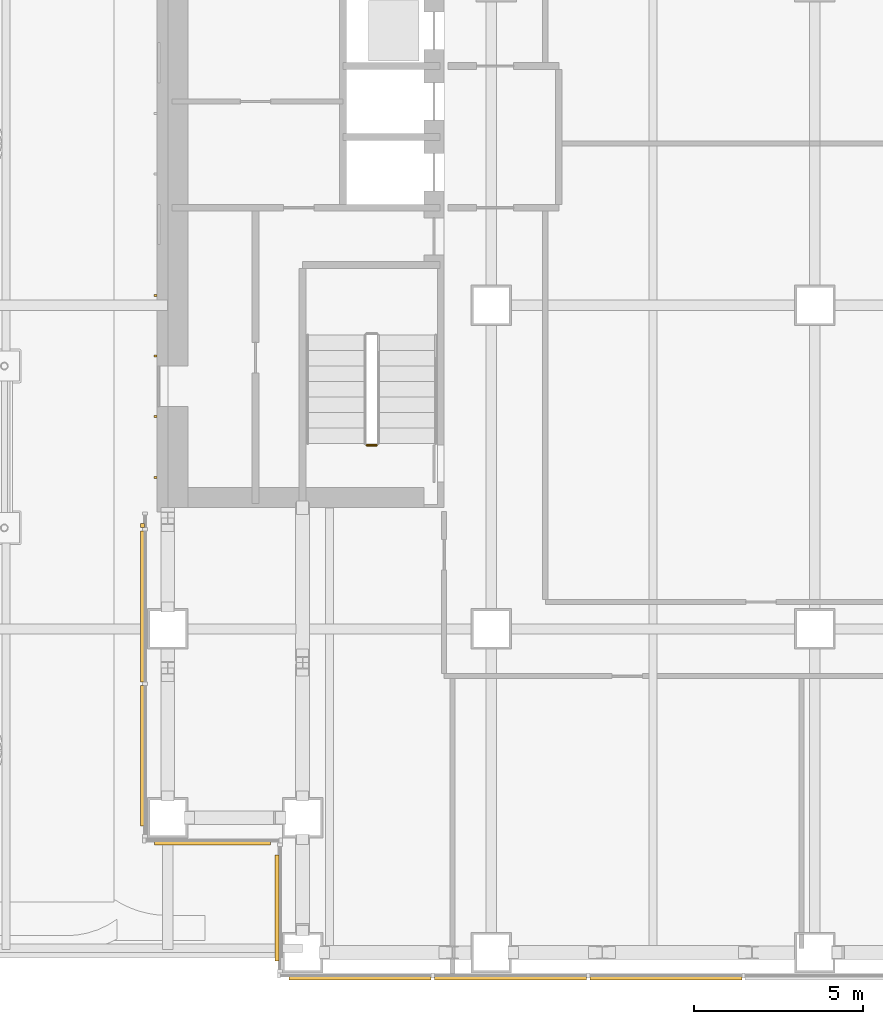
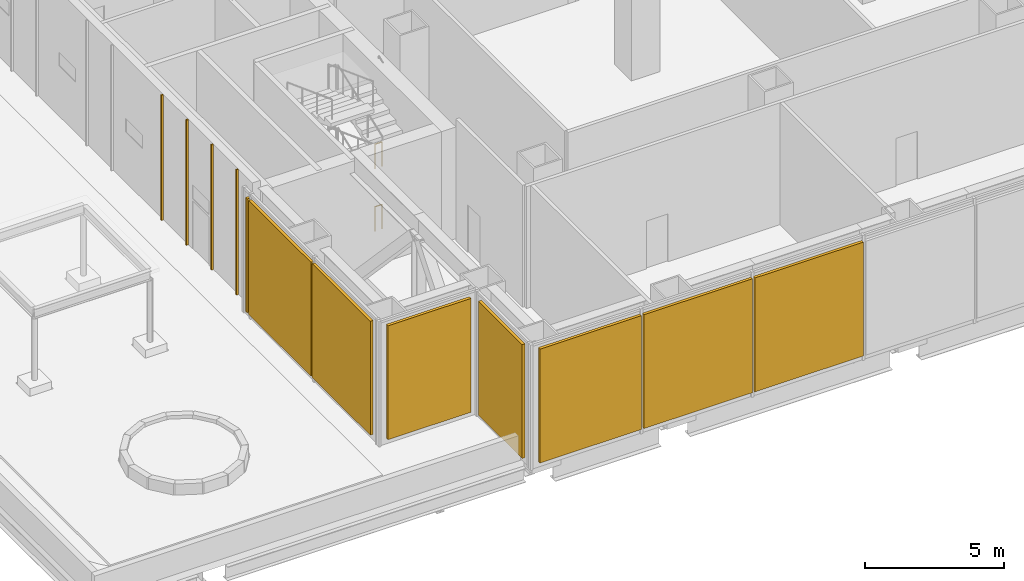
# One storey, part 28 of 39: 12 coverings, 2 railings.
"""IFC4 building model written with IfcOpenShell, lengths in metres."""

from ifc_helpers import new_model, si_unit, direction, frame, origin, origin_2d, place, context, subcontext, project, spatial, rectangle, circle, extrude, material, type_object, element, save


model = new_model("IFC4")

# Units and contexts
model_context = context("Model", 3, precision=1e-05, world=origin(), true_north=direction((0.0, 1.0)))
body_context = subcontext(model_context, "Body", "Model", "MODEL_VIEW")
ifc_project = project(units=[si_unit("LENGTHUNIT", "METRE"), si_unit("AREAUNIT", "SQUARE_METRE"), si_unit("VOLUMEUNIT", "CUBIC_METRE"), si_unit("PLANEANGLEUNIT", "RADIAN"), si_unit("MASSUNIT", "GRAM", prefix="KILO")], contexts=[model_context])

# Site, building, storey
site_placement = place(None, origin())
site = spatial("IfcSite", under=ifc_project, at=site_placement, CompositionType="ELEMENT")
building_placement = place(site_placement, origin())
building = spatial("IfcBuilding", under=site, at=building_placement, Name="Cobrizo Arcos Hotel Tower", CompositionType="ELEMENT")
storey_placement = place(building_placement, frame((0.0, 0.0, 33.5)))
storey = spatial("IfcBuildingStorey", under=building, at=storey_placement, Name="L06", CompositionType="ELEMENT", Elevation=33.5)

# Coverings
ifc_material_1 = material(Name="Aluminium 6063-T6 anodised bronze", Category="aluminium")
covering_type_1 = type_object("IfcCoveringType", Name="LV-1 plant louvre band", PredefinedType="CLADDING", material=ifc_material_1)
covering_1_placement = place(storey_placement, frame((-18.29443359375, -24.7548828125, 0.25), z_axis=(0.0, 0.0, 1.0), x_axis=(1.0, 0.0, 0.0)))
element("IfcCovering", 1, at=covering_1_placement, inside=storey, type_object=covering_type_1, Name="louvre band 323", PredefinedType="CLADDING", context=body_context, shape_type="SweptSolid", body=[
    extrude(rectangle(XDim=4.211181640625, YDim=0.1201171875, at=origin_2d()), origin(), (0.0, 0.0, 1.0), 5.0),
])
for number, where, z_axis, x_axis, name in (
    (2, (-13.833251953125, -24.7548828125, 0.25), (0.0, 0.0, 1.0), (1.0, 0.0, 0.0), "louvre band 324"),
    (3, (-9.22216796875, -24.7548828125, 0.25), (0.0, 0.0, 1.0), (1.0, 0.0, 0.0), "louvre band 325"),
):
    element("IfcCovering", number, at=place(storey_placement, frame(where, z_axis=z_axis, x_axis=x_axis)), inside=storey, type_object=covering_type_1, Name=name, PredefinedType="CLADDING", context=body_context, shape_type="SweptSolid", body=[
        extrude(rectangle(XDim=4.51123046875, YDim=0.1201171875, at=origin_2d()), origin(), (0.0, 0.0, 1.0), 5.0),
    ])
covering_2_placement = place(storey_placement, frame((-24.7548828125, -11.33447265625, 0.25), z_axis=(0.0, 0.0, 1.0), x_axis=(0.0, -1.0, 0.0)))
element("IfcCovering", 4, at=covering_2_placement, inside=storey, type_object=covering_type_1, Name="louvre band 356", PredefinedType="CLADDING", context=body_context, shape_type="SweptSolid", body=[
    extrude(rectangle(XDim=0.1201171875, YDim=0.1201171875, at=origin_2d()), origin(), (0.0, 0.0, 1.0), 5.0),
])
covering_3_placement = place(storey_placement, frame((-24.7548828125, -13.7333984375, 0.25), z_axis=(0.0, 0.0, 1.0), x_axis=(0.0, -1.0, 0.0)))
element("IfcCovering", 5, at=covering_3_placement, inside=storey, type_object=covering_type_1, Name="louvre band 357", PredefinedType="CLADDING", context=body_context, shape_type="SweptSolid", body=[
    extrude(rectangle(XDim=4.477783203125, YDim=0.1201171875, at=origin_2d()), origin(), (0.0, 0.0, 1.0), 5.0),
])
covering_4_placement = place(storey_placement, frame((-24.7548828125, -18.1611328125, 0.25), z_axis=(0.0, 0.0, 1.0), x_axis=(0.0, -1.0, 0.0)))
element("IfcCovering", 6, at=covering_4_placement, inside=storey, type_object=covering_type_1, Name="louvre band 358", PredefinedType="CLADDING", context=body_context, shape_type="SweptSolid", body=[
    extrude(rectangle(XDim=4.177734375, YDim=0.1201171875, at=origin_2d()), origin(), (0.0, 0.0, 1.0), 5.0),
])
covering_5_placement = place(storey_placement, frame((-22.675048828125, -20.7548828125, 0.25), z_axis=(0.0, 0.0, 1.0), x_axis=(1.0, 0.0, 0.0)))
element("IfcCovering", 7, at=covering_5_placement, inside=storey, type_object=covering_type_1, Name="louvre band 359", PredefinedType="CLADDING", context=body_context, shape_type="SweptSolid", body=[
    extrude(rectangle(XDim=3.449951171875, YDim=0.1201171875, at=origin_2d()), origin(), (0.0, 0.0, 1.0), 5.0),
])
covering_6_placement = place(storey_placement, frame((-20.7548828125, -22.675048828125, 0.25), z_axis=(0.0, 0.0, 1.0), x_axis=(0.0, -1.0, 0.0)))
element("IfcCovering", 8, at=covering_6_placement, inside=storey, type_object=covering_type_1, Name="louvre band 360", PredefinedType="CLADDING", context=body_context, shape_type="SweptSolid", body=[
    extrude(rectangle(XDim=3.14990234375, YDim=0.1201171875, at=origin_2d()), origin(), (0.0, 0.0, 1.0), 5.0),
])
ifc_material_2 = material(Name="Aluminium 6063-T6 anodised pale", Category="aluminium")
covering_type_2 = type_object("IfcCoveringType", Name="RS-1 rainscreen rib 60x90", PredefinedType="CLADDING", material=ifc_material_2)
for number, where, z_axis, x_axis, name in (
    (9, (-24.3701171875, -4.5, 0.0), (0.0, 0.0, 1.0), (0.0, -1.0, 0.0), "Rainscreen rib 17"),
    (10, (-24.3701171875, -6.300048828125, 0.0), (0.0, 0.0, 1.0), (0.0, -1.0, 0.0), "Rainscreen rib 18"),
    (11, (-24.3701171875, -8.10009765625, 0.0), (0.0, 0.0, 1.0), (0.0, -1.0, 0.0), "Rainscreen rib 19"),
    (12, (-24.3701171875, -9.89990234375, 0.0), (0.0, 0.0, 1.0), (0.0, -1.0, 0.0), "Rainscreen rib 20"),
):
    element("IfcCovering", number, at=place(storey_placement, frame(where, z_axis=z_axis, x_axis=x_axis)), inside=storey, type_object=covering_type_2, Name=name, PredefinedType="CLADDING", context=body_context, shape_type="SweptSolid", body=[
        extrude(rectangle(XDim=0.06005859375, YDim=0.090087890625, at=origin_2d()), origin(), (0.0, 0.0, 1.0), 5.5),
    ])

# Railings
ifc_material_3 = material(Name="Stainless steel railing", Category="steel")
railing_type = type_object("IfcRailingType", Name="Stair guard 1100", PredefinedType="GUARDRAIL", material=ifc_material_3)
for number, where, name in (
    (13, (-17.800048828125, -8.949951171875, 2.75), "L06 ST-W stair guard 4"),
    (14, (-17.800048828125, -8.949951171875, 0.0), "L06 ST-W stair guard 8"),
):
    element("IfcRailing", number, at=place(storey_placement, frame(where)), inside=storey, type_object=railing_type, Name=name, PredefinedType="GUARDRAIL", context=body_context, shape_type="SweptSolid", body=[
        extrude(circle(Radius=0.02392578125, at=origin_2d()), frame((0.0, 0.0, 1.076171875), z_axis=(-1.0, 0.0, 0.0), x_axis=(0.0, -1.0, 0.0)), (0.0, 0.0, 1.0), 0.300048828125),
        extrude(circle(Radius=0.02099609375, at=origin_2d()), origin(), (0.0, 0.0, 1.0), 1.052001953125),
        extrude(circle(Radius=0.02099609375, at=origin_2d()), frame((-0.300048828125, 0.0, 0.0)), (0.0, 0.0, 1.0), 1.052001953125),
    ])

save(model, "model.ifc")
